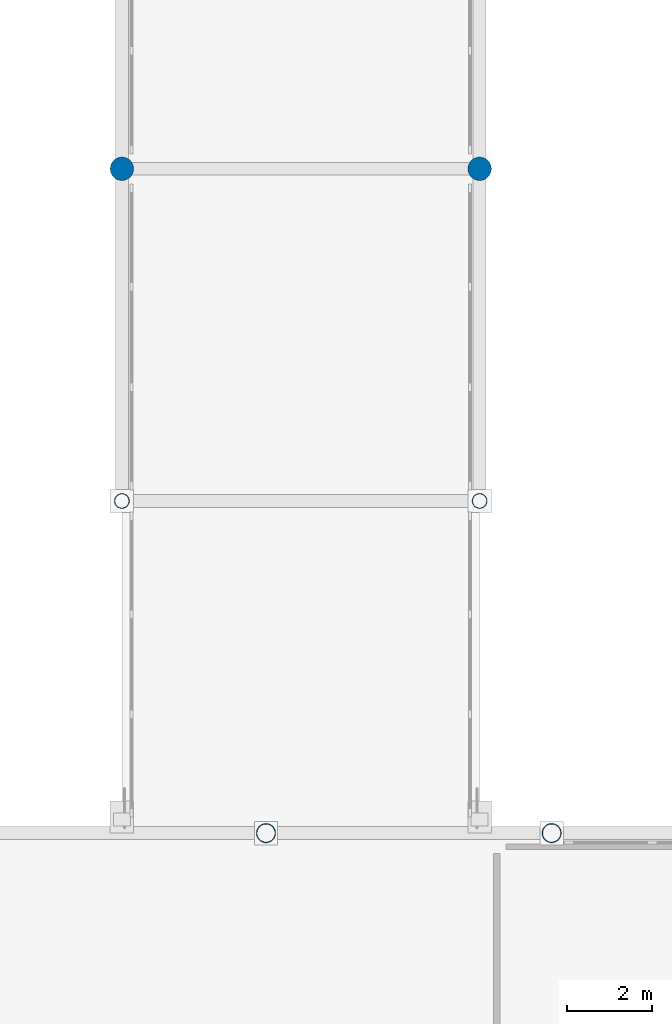
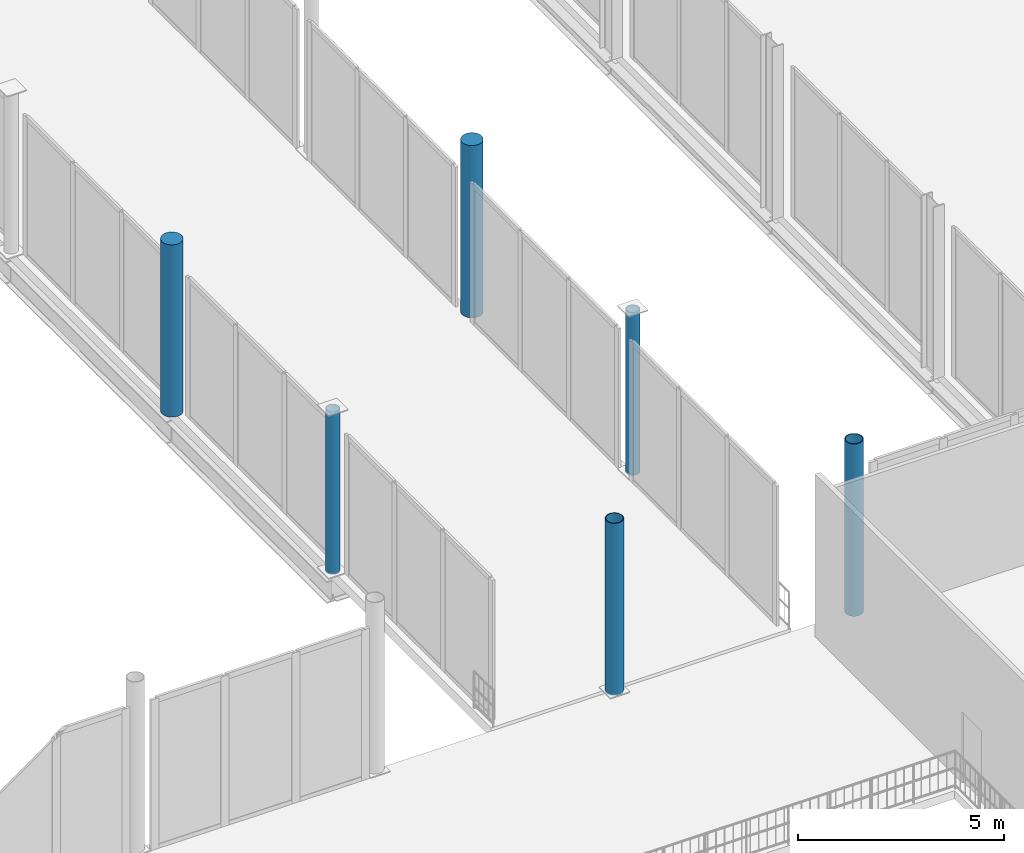
# One storey, part 7 of 105: 6 columns.
"""IFC4 building model written with IfcOpenShell, lengths in metres."""

from ifc_helpers import new_model, si_unit, direction, frame, origin, origin_2d, place, context, subcontext, project, spatial, circle, hollow_circle, extrude, material, material_profile, profile_set, type_object, element, save


model = new_model("IFC4")

# Units and contexts
model_context = context("Model", 3, precision=1e-05, world=origin(), true_north=direction((0.0, 1.0)))
body_context = subcontext(model_context, "Body", "Model", "MODEL_VIEW")
ifc_project = project(units=[si_unit("LENGTHUNIT", "METRE"), si_unit("AREAUNIT", "SQUARE_METRE"), si_unit("VOLUMEUNIT", "CUBIC_METRE"), si_unit("PLANEANGLEUNIT", "RADIAN"), si_unit("MASSUNIT", "GRAM", prefix="KILO")], contexts=[model_context])

# Site, building, storey
site_placement = place(None, origin())
site = spatial("IfcSite", under=ifc_project, at=site_placement, CompositionType="ELEMENT")
building_placement = place(site_placement, origin())
building = spatial("IfcBuilding", under=site, at=building_placement, Name="Nabrawat Pavilion Hospital", CompositionType="ELEMENT")
storey_placement = place(building_placement, frame((0.0, 0.0, 5.10009765625)))
storey = spatial("IfcBuildingStorey", under=building, at=storey_placement, Name="L01", CompositionType="ELEMENT", Elevation=5.10009765625)

# Columns
ifc_material_1 = material(Name="Steel S355", Category="steel")
ifc_material_profile_1 = material_profile(ifc_material_1, hollow_circle(Radius=0.177734375, WallThickness=0.01611328125, at=origin_2d()), Name="CHS 355.6x16")
ifc_profile_set_1 = profile_set([ifc_material_profile_1], Name="Steel S355")
column_type_1 = type_object("IfcColumnType", Name="Courtyard Link Bridge Column CHS 355.6x16", PredefinedType="COLUMN", material=ifc_profile_set_1)
for number, where, z_axis, x_axis, name in (
    (1, (109.199951171875, 46.800048828125, 0.0), (0.0, 0.0, 1.0), (1.0, 0.0, 0.0), "L01 Structural Column G-14-G"),
    (2, (117.60009765625, 46.800048828125, 0.0), (0.0, 0.0, 1.0), (1.0, 0.0, 0.0), "L01 Structural Column G-15-G"),
):
    element("IfcColumn", number, at=place(storey_placement, frame(where, z_axis=z_axis, x_axis=x_axis)), inside=storey, type_object=column_type_1, Name=name, PredefinedType="COLUMN", context=body_context, shape_type="SweptSolid", body=[
        extrude(hollow_circle(Radius=0.177734375, WallThickness=0.01611328125, at=origin_2d()), origin(), (0.0, 0.0, 1.0), 4.809814453125),
    ])
ifc_material_2 = material(Name="Concrete C40/50", Category="concrete")
ifc_material_profile_2 = material_profile(ifc_material_2, circle(Radius=0.27490234375, at=origin_2d()), Name="RC D550")
ifc_profile_set_2 = profile_set([ifc_material_profile_2], Name="Concrete C40/50")
column_type_2 = type_object("IfcColumnType", Name="Diagnostic Circular RC Column D550", PredefinedType="COLUMN", material=ifc_profile_set_2)
for number, where, z_axis, x_axis, name in (
    (3, (109.199951171875, 54.60009765625, 0.0), (0.0, 0.0, 1.0), (1.0, 0.0, 0.0), "L01 Structural Column G-14-H"),
    (4, (117.60009765625, 54.60009765625, 0.0), (0.0, 0.0, 1.0), (1.0, 0.0, 0.0), "L01 Structural Column G-15-H"),
):
    element("IfcColumn", number, at=place(storey_placement, frame(where, z_axis=z_axis, x_axis=x_axis)), inside=storey, type_object=column_type_2, Name=name, PredefinedType="COLUMN", context=body_context, shape_type="SweptSolid", body=[
        extrude(circle(Radius=0.27490234375, at=origin_2d()), origin(), (0.0, 0.0, 1.0), 5.099853515625),
    ])
ifc_material_profile_3 = material_profile(ifc_material_1, hollow_circle(Radius=0.228515625, WallThickness=0.02001953125, at=origin_2d()), Name="CHS 457x20")
ifc_profile_set_3 = profile_set([ifc_material_profile_3], Name="Steel S355")
column_type_3 = type_object("IfcColumnType", Name="Expressed Pavilion Tubular Column CHS 457x20", PredefinedType="COLUMN", material=ifc_profile_set_3)
for number, where, z_axis, x_axis, name in (
    (5, (112.583984375, 39.0, 0.0), (0.0, 0.0, 1.0), (1.0, 0.0, 0.0), "L01 Expressed Pavilion Column MH-N08"),
    (6, (119.2919921875, 39.0, 0.0), (0.0, 0.0, 1.0), (1.0, 0.0, 0.0), "L01 Expressed Pavilion Column MH-N09"),
):
    element("IfcColumn", number, at=place(storey_placement, frame(where, z_axis=z_axis, x_axis=x_axis)), inside=storey, type_object=column_type_3, Name=name, PredefinedType="COLUMN", context=body_context, shape_type="SweptSolid", body=[
        extrude(hollow_circle(Radius=0.228515625, WallThickness=0.02001953125, at=origin_2d()), origin(), (0.0, 0.0, 1.0), 5.099853515625),
    ])

save(model, "model.ifc")
